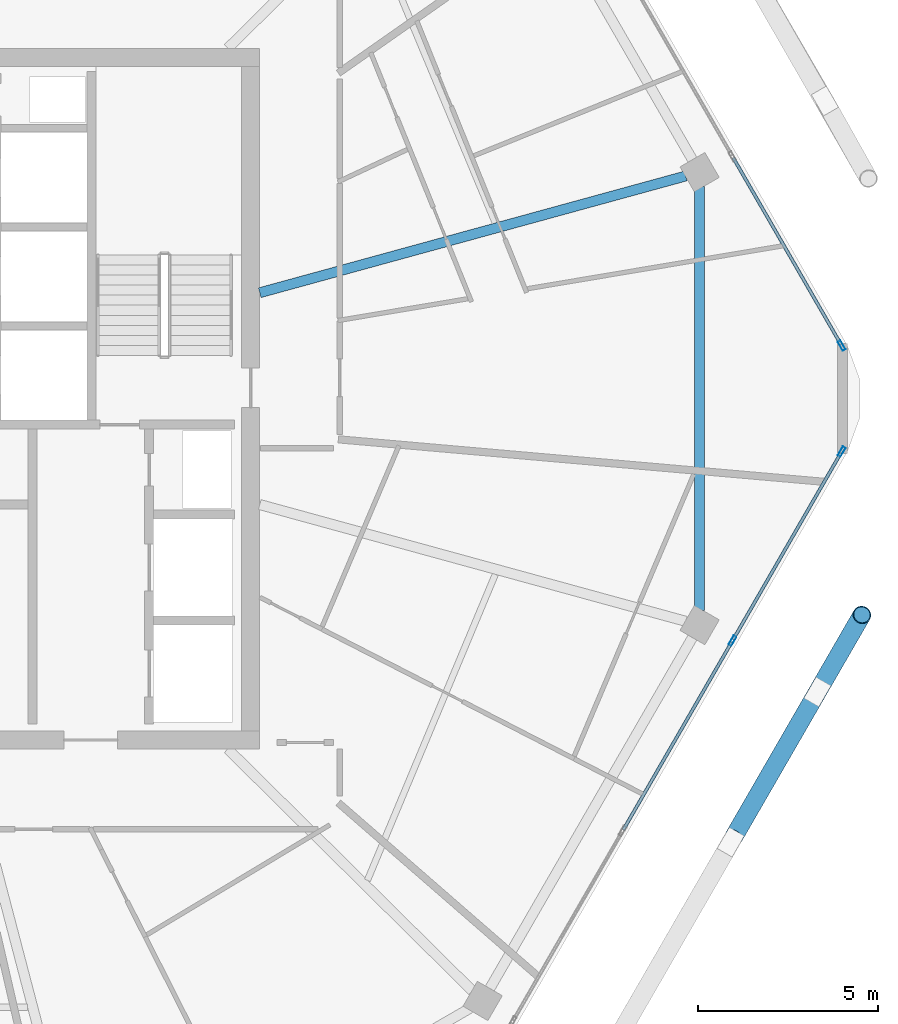
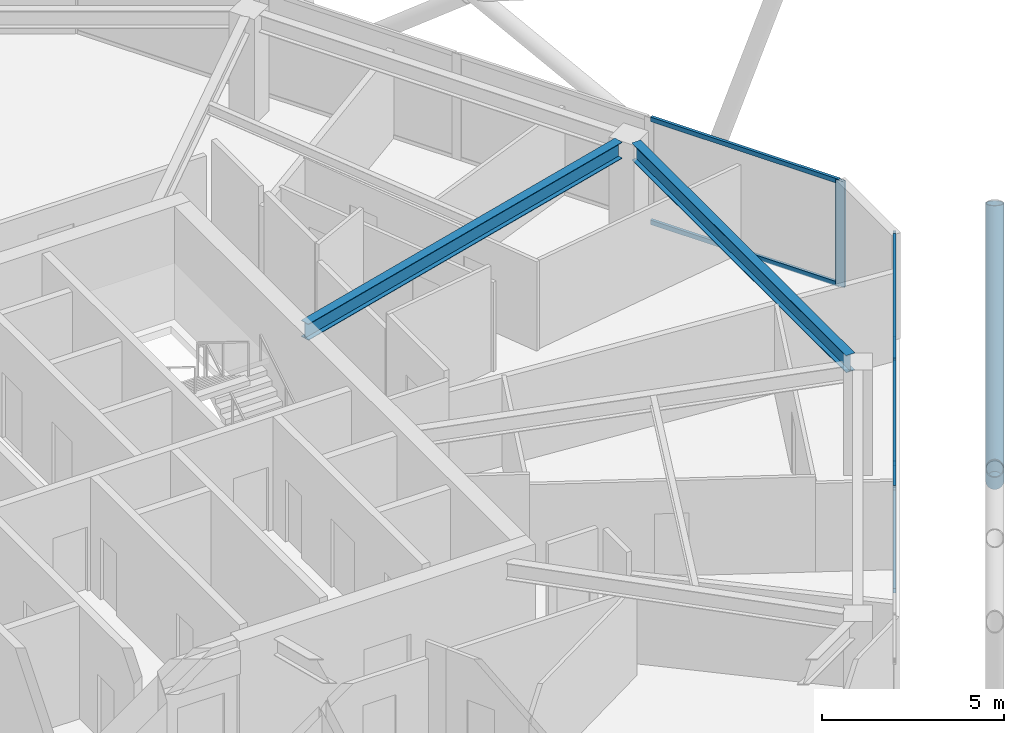
# One storey, part 9 of 23: 11 members, 2 beams, 2 elements without a shape of their own.
"""IFC4 building model written with IfcOpenShell, lengths in metres."""

from ifc_helpers import new_model, si_unit, direction, frame, origin, origin_2d, place, context, subcontext, project, spatial, hollow_rectangle, hollow_circle, i_section, extrude, material, material_profile, profile_set, type_object, element, aggregate, save


model = new_model("IFC4")

# Units and contexts
model_context = context("Model", 3, precision=1e-05, world=origin(), true_north=direction((0.0, 1.0)))
body_context = subcontext(model_context, "Body", "Model", "MODEL_VIEW")
ifc_project = project(units=[si_unit("LENGTHUNIT", "METRE"), si_unit("AREAUNIT", "SQUARE_METRE"), si_unit("VOLUMEUNIT", "CUBIC_METRE"), si_unit("PLANEANGLEUNIT", "RADIAN"), si_unit("MASSUNIT", "GRAM", prefix="KILO")], contexts=[model_context])

# Site, building, storey
site_placement = place(None, origin())
site = spatial("IfcSite", under=ifc_project, at=site_placement, CompositionType="ELEMENT")
building_placement = place(site_placement, origin())
building = spatial("IfcBuilding", under=site, at=building_placement, Name="Zuhravey Tower", CompositionType="ELEMENT")
storey_placement = place(building_placement, frame((0.0, 0.0, 323.39990234375)))
storey = spatial("IfcBuildingStorey", under=building, at=storey_placement, Name="L82", CompositionType="ELEMENT", Elevation=323.39990234375)

# Curtain wall, members
ifc_material_1 = material(Name="Thermally broken anodised aluminium", Category="aluminium")
curtain_wall_type = type_object("IfcCurtainWallType", Name="Zone 3-4 High-Rise Curtain Wall CW4", PredefinedType="NOTDEFINED", material=ifc_material_1)
curtain_wall_1_placement = place(storey_placement, origin())
curtain_wall_1 = element("IfcCurtainWall", 1, at=curtain_wall_1_placement, inside=storey, type_object=curtain_wall_type, Name="L82 CW4 CW-L82-F6-1", PredefinedType="NOTDEFINED")
ifc_material_2 = material(Name="Anodised aluminium", Category="aluminium")
ifc_material_profile_1 = material_profile(ifc_material_2, hollow_rectangle(XDim=0.090087890625, YDim=0.284912109375, WallThickness=0.0048828125, at=origin_2d()), Name="ALU-RHS-90x285x5")
ifc_profile_set_1 = profile_set([ifc_material_profile_1], Name="Anodised aluminium")
member_type_1 = type_object("IfcMemberType", Name="Curtain-Wall Mullion 90x180", PredefinedType="MULLION", material=ifc_profile_set_1)
member_1_placement = place(storey_placement, frame((62.94580078125, 30.5234375, 0.0), z_axis=(0.0, 0.0, 1.0), x_axis=(0.866025511541, -0.49999981336, 0.0)))
member_1 = element("IfcMember", 2, at=member_1_placement, type_object=member_type_1, Name="CW4 mullion 1", PredefinedType="MULLION", context=body_context, shape_type="SweptSolid", body=[
    extrude(hollow_rectangle(XDim=0.090087890625, YDim=0.284912109375, WallThickness=0.0048828125, at=origin_2d()), origin(), (0.0, 0.0, 1.0), 3.550048828125),
])
member_2_placement = place(storey_placement, frame((59.90869140625, 25.2626953125, 0.0), z_axis=(0.0, 0.0, 1.0), x_axis=(0.866025511541, -0.49999981336, 0.0)))
member_2 = element("IfcMember", 3, at=member_2_placement, type_object=member_type_1, Name="CW4 mullion 2", PredefinedType="MULLION", context=body_context, shape_type="SweptSolid", body=[
    extrude(hollow_rectangle(XDim=0.090087890625, YDim=0.284912109375, WallThickness=0.0048828125, at=origin_2d()), origin(), (0.0, 0.0, 1.0), 3.550048828125),
])

# Curtain wall, member
curtain_wall_2_placement = place(storey_placement, origin())
curtain_wall_2 = element("IfcCurtainWall", 4, at=curtain_wall_2_placement, inside=storey, type_object=curtain_wall_type, Name="L82 CW4 CW-L82-F1-1", PredefinedType="NOTDEFINED")
member_3_placement = place(storey_placement, frame((62.94580078125, 33.4765625, 0.0), z_axis=(0.0, 0.0, 1.0), x_axis=(0.866025511541, 0.49999981336, 0.0)))
member_3 = element("IfcMember", 5, at=member_3_placement, type_object=member_type_1, Name="CW4 mullion 5", PredefinedType="MULLION", context=body_context, shape_type="SweptSolid", body=[
    extrude(hollow_rectangle(XDim=0.090087890625, YDim=0.284912109375, WallThickness=0.0048828125, at=origin_2d()), origin(), (0.0, 0.0, 1.0), 3.550048828125),
])

# Member
ifc_material_profile_2 = material_profile(ifc_material_2, hollow_rectangle(XDim=0.090087890625, YDim=0.14990234375, WallThickness=0.0048828125, at=origin_2d()), Name="ALU-RHS-90x150x5")
ifc_profile_set_2 = profile_set([ifc_material_profile_2], Name="Anodised aluminium")
member_type_2 = type_object("IfcMemberType", Name="Curtain-Wall Transom 90x150", PredefinedType="USERDEFINED", material=ifc_profile_set_2)
member_4_placement = place(storey_placement, frame((62.92333984375, 30.484619140625, 0.045166015625), z_axis=(-0.499982594807, -0.866035452444, 0.0), x_axis=(0.866035452444, -0.499982594807, 0.0)))
member_4 = element("IfcMember", 6, at=member_4_placement, type_object=member_type_2, Name="CW4 transom 1.1", ObjectType="TRANSOM", PredefinedType="USERDEFINED", context=body_context, shape_type="SweptSolid", body=[
    extrude(hollow_rectangle(XDim=0.090087890625, YDim=0.14990234375, WallThickness=0.0048828125, at=origin_2d()), origin(), (0.0, 0.0, 1.0), 5.984619140625),
])

member_5_placement = place(storey_placement, frame((62.92333984375, 30.484619140625, 3.505126953125), z_axis=(-0.499982594807, -0.866035452444, 0.0), x_axis=(0.866035452444, -0.499982594807, 0.0)))
member_5 = element("IfcMember", 7, at=member_5_placement, type_object=member_type_2, Name="CW4 transom 1.2", ObjectType="TRANSOM", PredefinedType="USERDEFINED", context=body_context, shape_type="SweptSolid", body=[
    extrude(hollow_rectangle(XDim=0.090087890625, YDim=0.14990234375, WallThickness=0.0048828125, at=origin_2d()), origin(), (0.0, 0.0, 1.0), 5.984619140625),
])

member_6_placement = place(storey_placement, frame((59.885986328125, 25.2236328125, 0.045166015625), z_axis=(-0.499988837749, -0.866031848217, 0.0), x_axis=(0.866031848217, -0.499988837749, 0.0)))
member_6 = element("IfcMember", 8, at=member_6_placement, type_object=member_type_2, Name="CW4 transom 2.1", ObjectType="TRANSOM", PredefinedType="USERDEFINED", context=body_context, shape_type="SweptSolid", body=[
    extrude(hollow_rectangle(XDim=0.090087890625, YDim=0.14990234375, WallThickness=0.0048828125, at=origin_2d()), origin(), (0.0, 0.0, 1.0), 6.029541015625),
])

member_7_placement = place(storey_placement, frame((59.885986328125, 25.2236328125, 3.505126953125), z_axis=(-0.499988837749, -0.866031848217, 0.0), x_axis=(0.866031848217, -0.499988837749, 0.0)))
member_7 = element("IfcMember", 9, at=member_7_placement, type_object=member_type_2, Name="CW4 transom 2.2", ObjectType="TRANSOM", PredefinedType="USERDEFINED", context=body_context, shape_type="SweptSolid", body=[
    extrude(hollow_rectangle(XDim=0.090087890625, YDim=0.14990234375, WallThickness=0.0048828125, at=origin_2d()), origin(), (0.0, 0.0, 1.0), 6.029541015625),
])

aggregate(curtain_wall_1, [member_1, member_2, member_4, member_5, member_6, member_7])

member_8_placement = place(storey_placement, frame((59.93115234375, 38.6982421875, 0.045166015625), z_axis=(0.499982594807, -0.866035452444, 0.0), x_axis=(0.866035452444, 0.499982594807, 0.0)))
member_8 = element("IfcMember", 10, at=member_8_placement, type_object=member_type_2, Name="CW4 transom 4.1", ObjectType="TRANSOM", PredefinedType="USERDEFINED", context=body_context, shape_type="SweptSolid", body=[
    extrude(hollow_rectangle(XDim=0.090087890625, YDim=0.14990234375, WallThickness=0.0048828125, at=origin_2d()), origin(), (0.0, 0.0, 1.0), 5.984619140625),
])

member_9_placement = place(storey_placement, frame((59.93115234375, 38.6982421875, 3.505126953125), z_axis=(0.499982594807, -0.866035452444, 0.0), x_axis=(0.866035452444, 0.499982594807, 0.0)))
member_9 = element("IfcMember", 11, at=member_9_placement, type_object=member_type_2, Name="CW4 transom 4.2", ObjectType="TRANSOM", PredefinedType="USERDEFINED", context=body_context, shape_type="SweptSolid", body=[
    extrude(hollow_rectangle(XDim=0.090087890625, YDim=0.14990234375, WallThickness=0.0048828125, at=origin_2d()), origin(), (0.0, 0.0, 1.0), 5.984619140625),
])

aggregate(curtain_wall_2, [member_3, member_8, member_9])

# Members
ifc_material_3 = material(Name="Steel SM355", Category="steel")
ifc_material_profile_3 = material_profile(ifc_material_3, hollow_circle(Radius=0.25390625, WallThickness=0.02490234375, at=origin_2d()), Name="CHS-508.0x25")
ifc_profile_set_3 = profile_set([ifc_material_profile_3], Name="Steel SM355")
member_type_3 = type_object("IfcMemberType", Name="Exoskeleton Zone 4 Diagrid CHS508x25", PredefinedType="BRACE", material=ifc_profile_set_3)
member_10_placement = place(storey_placement, frame((62.275146484375, 23.842041015625, -0.447998046875), z_axis=(0.155227725192, 0.268842644559, 0.950593491351), x_axis=(-0.866009569118, 0.500027425445, 0.0)))
element("IfcMember", 12, at=member_10_placement, inside=storey, type_object=member_type_3, Name="L82 Face 6 Diagrid Brace 4", PredefinedType="BRACE", context=body_context, shape_type="SweptSolid", body=[
    extrude(hollow_circle(Radius=0.25390625, WallThickness=0.02490234375, at=origin_2d()), origin(), (0.0, 0.0, 1.0), 7.96142578125),
])
member_11_placement = place(storey_placement, frame((62.259033203125, 23.81396484375, -0.4423828125), z_axis=(-0.392851490218, -0.680454086066, 0.618587054011), x_axis=(0.866030286288, -0.49999154316, 0.0)))
element("IfcMember", 13, at=member_11_placement, inside=storey, type_object=member_type_3, Name="L82 Face 6 Split Diagrid Brace 3A", PredefinedType="BRACE", context=body_context, shape_type="SweptSolid", body=[
    extrude(hollow_circle(Radius=0.25390625, WallThickness=0.02490234375, at=origin_2d()), origin(), (0.0, 0.0, 1.0), 5.864013671875),
])

# Beams
ifc_material_profile_4 = material_profile(ifc_material_3, i_section(OverallWidth=0.280029296875, OverallDepth=0.580078125, WebThickness=0.011962890625, FlangeThickness=0.01904296875, at=origin_2d()), Name="H-580x280x12x19")
ifc_profile_set_4 = profile_set([ifc_material_profile_4], Name="Steel SM355")
beam_type_1 = type_object("IfcBeamType", Name="Perimeter Ring Beam H580x280", PredefinedType="BEAM", material=ifc_profile_set_4)
beam_1_placement = place(storey_placement, frame((58.993408203125, 26.1005859375, 3.260009765625), z_axis=(0.0, 1.0, 0.0), x_axis=(-1.0, 0.0, 0.0)))
element("IfcBeam", 14, at=beam_1_placement, inside=storey, type_object=beam_type_1, Name="L82 PB4 BM-L82-PB-12", PredefinedType="BEAM", context=body_context, shape_type="SweptSolid", body=[
    extrude(i_section(OverallWidth=0.280029296875, OverallDepth=0.580078125, WebThickness=0.011962890625, FlangeThickness=0.01904296875, at=origin_2d()), origin(), (0.0, 0.0, 1.0), 11.798828125),
])
ifc_material_profile_5 = material_profile(ifc_material_3, i_section(OverallWidth=0.280029296875, OverallDepth=0.550048828125, WebThickness=0.010986328125, FlangeThickness=0.01806640625, at=origin_2d()), Name="H-550x280x11x18")
ifc_profile_set_5 = profile_set([ifc_material_profile_5], Name="Steel SM355")
beam_type_2 = type_object("IfcBeamType", Name="Radial Primary Girder H550x280", PredefinedType="BEAM", material=ifc_profile_set_5)
beam_2_placement = place(storey_placement, frame((46.7529296875, 34.947265625, 3.275146484375), z_axis=(0.964427903067, 0.264346022829, 0.0), x_axis=(-0.264346022829, 0.964427903067, 0.0)))
element("IfcBeam", 15, at=beam_2_placement, inside=storey, type_object=beam_type_2, Name="L82 RG4 BM-L82-RAD-01", PredefinedType="BEAM", context=body_context, shape_type="SweptSolid", body=[
    extrude(i_section(OverallWidth=0.280029296875, OverallDepth=0.550048828125, WebThickness=0.010986328125, FlangeThickness=0.01806640625, at=origin_2d()), origin(), (0.0, 0.0, 1.0), 12.2890625),
])

save(model, "model.ifc")
